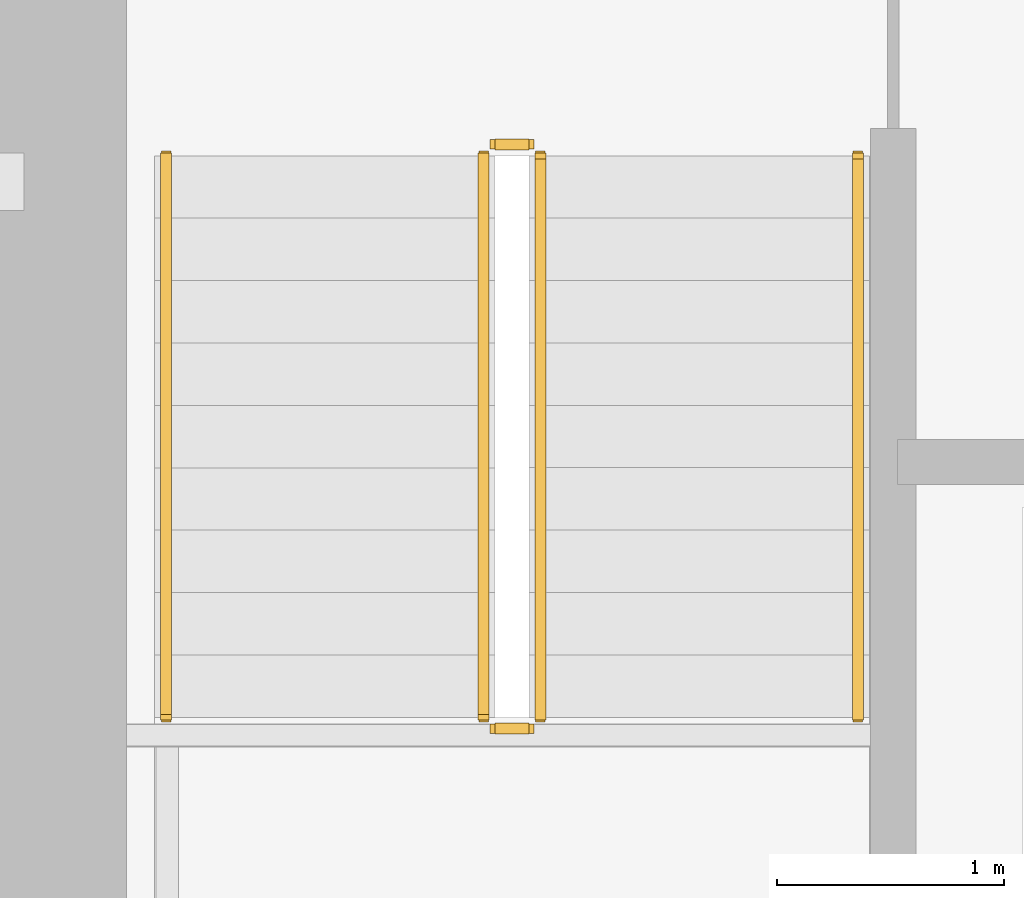
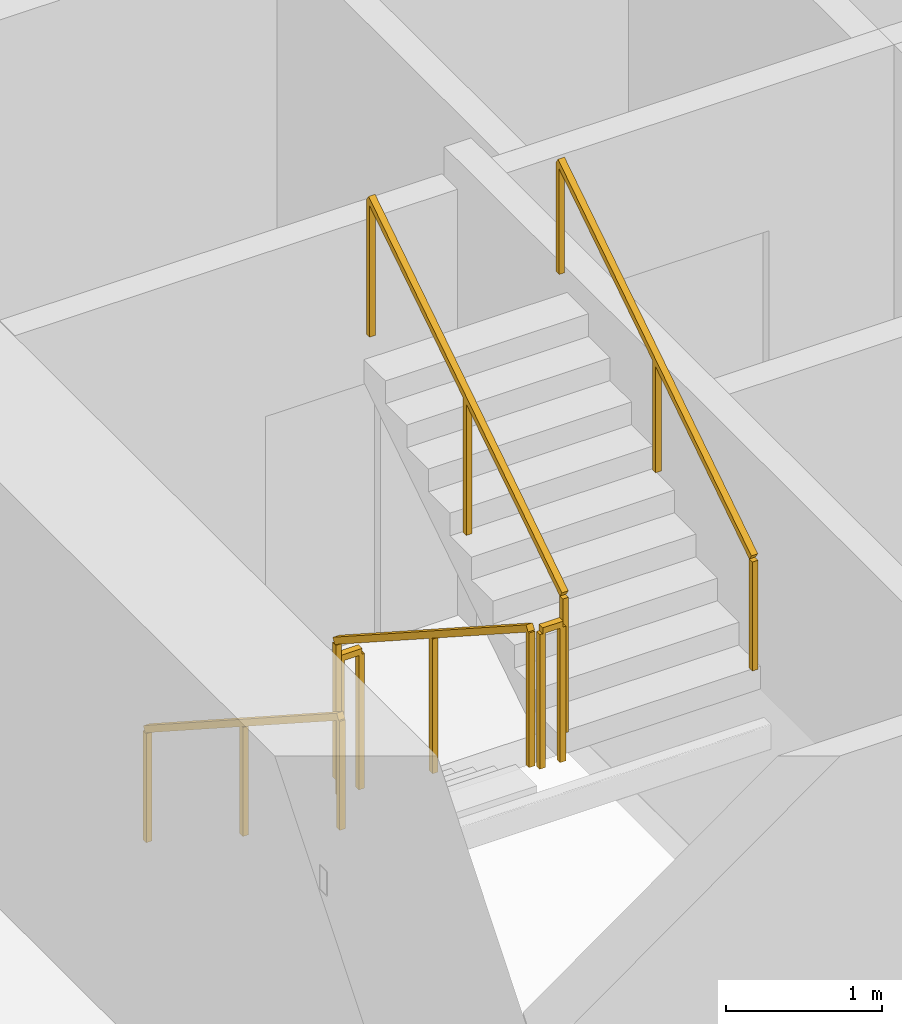
# One storey, part 12 of 14: 6 railings.
"""IFC4 building model written with IfcOpenShell, lengths in metres."""

from ifc_helpers import new_model, si_unit, direction, frame, origin, origin_2d, place, context, subcontext, project, spatial, rectangle, extrude, material, type_object, element, save


model = new_model("IFC4")

# Units and contexts
model_context = context("Model", 3, precision=1e-05, world=origin(), true_north=direction((0.0, 1.0)))
body_context = subcontext(model_context, "Body", "Model", "MODEL_VIEW")
ifc_project = project(units=[si_unit("LENGTHUNIT", "METRE"), si_unit("AREAUNIT", "SQUARE_METRE"), si_unit("VOLUMEUNIT", "CUBIC_METRE"), si_unit("PLANEANGLEUNIT", "RADIAN"), si_unit("MASSUNIT", "GRAM", prefix="KILO")], contexts=[model_context])

# Site, building, storey
site_placement = place(None, origin())
site = spatial("IfcSite", under=ifc_project, at=site_placement, CompositionType="ELEMENT")
building_placement = place(site_placement, origin())
building = spatial("IfcBuilding", under=site, at=building_placement, Name="Cinnabar Lancet Tower", CompositionType="ELEMENT")
storey_placement = place(building_placement, frame((0.0, 0.0, 35.550048828125)))
storey = spatial("IfcBuildingStorey", under=building, at=storey_placement, Name="L08", CompositionType="ELEMENT", Elevation=35.550048828125)

# Railings
ifc_material_1 = material(Name="Painted galvanized steel balustrade", Category="steel")
railing_type_1 = type_object("IfcRailingType", Name="GUARD-STAIR", PredefinedType="GUARDRAIL", material=ifc_material_1)
railing_1_placement = place(storey_placement, frame((24.97509765625, 28.39990234375, 0.177490234375)))
element("IfcRailing", 1, at=railing_1_placement, inside=storey, type_object=railing_type_1, Name="L08 ST-1 stair guard 1", PredefinedType="GUARDRAIL", context=body_context, shape_type="SweptSolid", body=[
    extrude(rectangle(XDim=0.048095703125, YDim=0.048095703125, at=origin_2d()), frame((0.0, 0.0, 1.076171875), z_axis=(0.0, -0.840183358697, 0.542302428327), x_axis=(1.0, 0.0, 0.0)), (0.0, 0.0, 1.0), 2.945556640625),
    extrude(rectangle(XDim=0.0419921875, YDim=0.0419921875, at=origin_2d()), origin(), (0.0, 0.0, 1.0), 1.052001953125),
    extrude(rectangle(XDim=0.0419921875, YDim=0.0419921875, at=origin_2d()), frame((0.0, -1.2373046875, 0.798828125)), (0.0, 0.0, 1.0), 1.052001953125),
    extrude(rectangle(XDim=0.0419921875, YDim=0.0419921875, at=origin_2d()), frame((0.0, -2.474853515625, 1.597412109375)), (0.0, 0.0, 1.0), 1.052001953125),
])
railing_2_placement = place(storey_placement, frame((25.02490234375, 25.875, 1.77490234375)))
element("IfcRailing", 2, at=railing_2_placement, inside=storey, type_object=railing_type_1, Name="L08 ST-1 stair guard 2", PredefinedType="GUARDRAIL", context=body_context, shape_type="SweptSolid", body=[
    extrude(rectangle(XDim=0.048095703125, YDim=0.048095703125, at=origin_2d()), frame((0.0, 0.0, 1.076171875), z_axis=(1.0, 0.0, 0.0), x_axis=(0.0, 1.0, 0.0)), (0.0, 0.0, 1.0), 0.150146484375),
    extrude(rectangle(XDim=0.0419921875, YDim=0.0419921875, at=origin_2d()), origin(), (0.0, 0.0, 1.0), 1.052001953125),
    extrude(rectangle(XDim=0.0419921875, YDim=0.0419921875, at=origin_2d()), frame((0.150146484375, 0.0, 0.0)), (0.0, 0.0, 1.0), 1.052001953125),
])
railing_3_placement = place(storey_placement, frame((25.22509765625, 25.925048828125, 1.952392578125)))
element("IfcRailing", 3, at=railing_3_placement, inside=storey, type_object=railing_type_1, Name="L08 ST-1 stair guard 3", PredefinedType="GUARDRAIL", context=body_context, shape_type="SweptSolid", body=[
    extrude(rectangle(XDim=0.048095703125, YDim=0.048095703125, at=origin_2d()), frame((0.0, 0.0, 1.076171875), z_axis=(0.0, 0.84014559416, 0.542360932049), x_axis=(-1.0, 0.0, 0.0)), (0.0, 0.0, 1.0), 2.94580078125),
    extrude(rectangle(XDim=0.0419921875, YDim=0.0419921875, at=origin_2d()), origin(), (0.0, 0.0, 1.0), 1.052001953125),
    extrude(rectangle(XDim=0.0419921875, YDim=0.0419921875, at=origin_2d()), frame((0.0, 1.2373046875, 0.798828125)), (0.0, 0.0, 1.0), 1.052001953125),
    extrude(rectangle(XDim=0.0419921875, YDim=0.0419921875, at=origin_2d()), frame((0.0, 2.474853515625, 1.59765625)), (0.0, 0.0, 1.0), 1.052001953125),
])
railing_4_placement = place(storey_placement, frame((25.02490234375, 28.449951171875, 0.0)))
element("IfcRailing", 4, at=railing_4_placement, inside=storey, type_object=railing_type_1, Name="L08 ST-1 stair guard 4", PredefinedType="GUARDRAIL", context=body_context, shape_type="SweptSolid", body=[
    extrude(rectangle(XDim=0.048095703125, YDim=0.048095703125, at=origin_2d()), frame((0.0, 0.0, 1.076171875), z_axis=(1.0, 0.0, 0.0), x_axis=(0.0, 1.0, 0.0)), (0.0, 0.0, 1.0), 0.150146484375),
    extrude(rectangle(XDim=0.0419921875, YDim=0.0419921875, at=origin_2d()), origin(), (0.0, 0.0, 1.0), 1.052001953125),
    extrude(rectangle(XDim=0.0419921875, YDim=0.0419921875, at=origin_2d()), frame((0.150146484375, 0.0, 0.0)), (0.0, 0.0, 1.0), 1.052001953125),
])
ifc_material_2 = material(Name="Brushed stainless steel handrail", Category="steel")
railing_type_2 = type_object("IfcRailingType", Name="HANDRAIL-STAIR", PredefinedType="HANDRAIL", material=ifc_material_2)
railing_5_placement = place(storey_placement, frame((23.574951171875, 28.39990234375, 0.177490234375)))
element("IfcRailing", 5, at=railing_5_placement, inside=storey, type_object=railing_type_2, Name="L08 ST-1 stair handrail 1", PredefinedType="HANDRAIL", context=body_context, shape_type="SweptSolid", body=[
    extrude(rectangle(XDim=0.048095703125, YDim=0.048095703125, at=origin_2d()), frame((0.0, 0.0, 0.8759765625), z_axis=(0.0, -0.840183358697, 0.542302428327), x_axis=(1.0, 0.0, 0.0)), (0.0, 0.0, 1.0), 2.945556640625),
    extrude(rectangle(XDim=0.0419921875, YDim=0.0419921875, at=origin_2d()), origin(), (0.0, 0.0, 1.0), 0.851806640625),
    extrude(rectangle(XDim=0.0419921875, YDim=0.0419921875, at=origin_2d()), frame((0.0, -1.2373046875, 0.798828125)), (0.0, 0.0, 1.0), 0.851806640625),
    extrude(rectangle(XDim=0.0419921875, YDim=0.0419921875, at=origin_2d()), frame((0.0, -2.474853515625, 1.597412109375)), (0.0, 0.0, 1.0), 0.851806640625),
])
railing_6_placement = place(storey_placement, frame((26.625, 25.925048828125, 1.952392578125)))
element("IfcRailing", 6, at=railing_6_placement, inside=storey, type_object=railing_type_2, Name="L08 ST-1 stair handrail 2", PredefinedType="HANDRAIL", context=body_context, shape_type="SweptSolid", body=[
    extrude(rectangle(XDim=0.048095703125, YDim=0.048095703125, at=origin_2d()), frame((0.0, 0.0, 0.8759765625), z_axis=(0.0, 0.84014559416, 0.542360932049), x_axis=(-1.0, 0.0, 0.0)), (0.0, 0.0, 1.0), 2.94580078125),
    extrude(rectangle(XDim=0.0419921875, YDim=0.0419921875, at=origin_2d()), origin(), (0.0, 0.0, 1.0), 0.851806640625),
    extrude(rectangle(XDim=0.0419921875, YDim=0.0419921875, at=origin_2d()), frame((0.0, 1.2373046875, 0.798828125)), (0.0, 0.0, 1.0), 0.851806640625),
    extrude(rectangle(XDim=0.0419921875, YDim=0.0419921875, at=origin_2d()), frame((0.0, 2.474853515625, 1.59765625)), (0.0, 0.0, 1.0), 0.851806640625),
])

save(model, "model.ifc")
